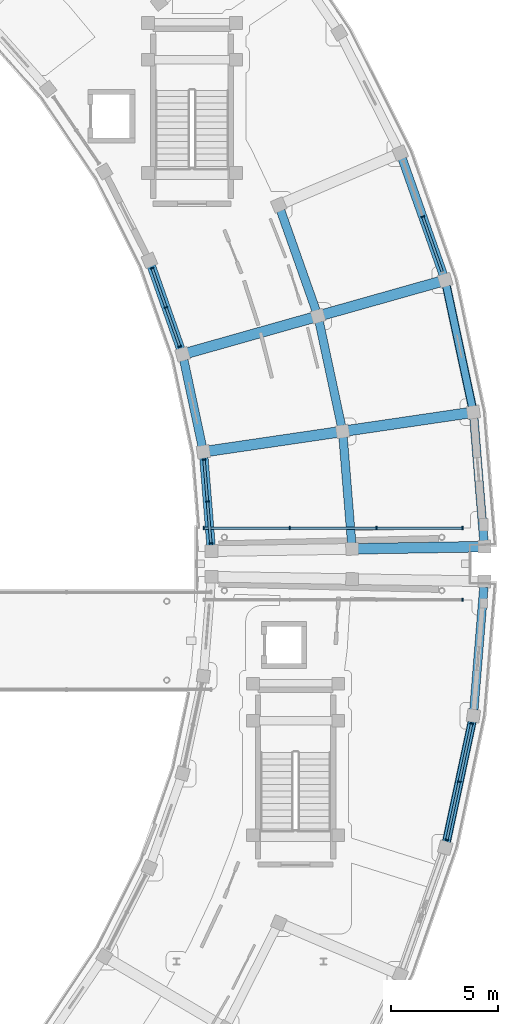
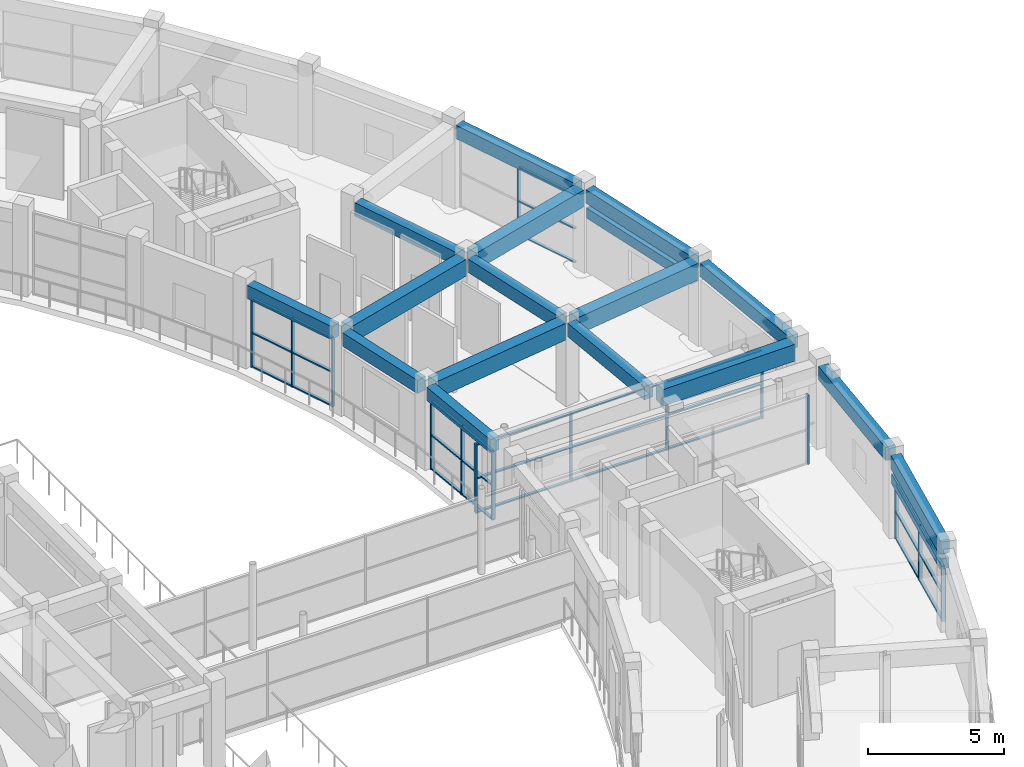
# One storey, part 27 of 72: 45 members, 18 beams, 6 elements without a shape of their own.
"""IFC4 building model written with IfcOpenShell, lengths in metres."""

import ifcopenshell
import ifcopenshell.guid

model = None  # the IFC model being written
_history = None  # IfcOwnerHistory: only IFC2X3 demands one
_inside = {}  # id of a spatial element -> (the spatial element, [elements in it])
_under = {}  # id of a project, library or spatial element -> (it, [spatial elements below it])
_declared = {}  # id of a project -> (the project, [libraries it declares])
_typed = {}  # id of a type object -> (the type object, [elements of that type])
_made_of = {}  # id of a material, layer set ... -> (it, [elements and type objects made of it])


def new_model(schema):
    """Start an empty IFC model of exactly this schema.

    Asked for "IFC4X3", IfcOpenShell would pick the latest addendum, in which some entities
    have other attributes; the version numbers below select the first issue.
    IFC2X3 requires an IfcOwnerHistory on every rooted entity: one is made here for all.
    """
    global model, _history
    if schema == "IFC4X3":
        model = ifcopenshell.file(schema_version=(4, 3, 0, 0))
    else:
        model = ifcopenshell.file(schema=schema)
    _inside.clear()
    _under.clear()
    _declared.clear()
    _typed.clear()
    _made_of.clear()
    _history = None
    if model.schema == "IFC2X3":
        org = make("IfcOrganization", Name="unknown")
        user = make(
            "IfcPersonAndOrganization",
            ThePerson=make("IfcPerson", FamilyName="unknown"),
            TheOrganization=org,
        )
        app = make(
            "IfcApplication",
            ApplicationDeveloper=org,
            Version="unknown",
            ApplicationFullName="unknown",
            ApplicationIdentifier="unknown",
        )
        _history = make(
            "IfcOwnerHistory",
            OwningUser=user,
            OwningApplication=app,
            ChangeAction="ADDED",
            CreationDate=0,
        )
    return model


def make(cls, **values):
    """One entity of the class cls with the attributes given. An attribute that is None is left unset."""
    return model.create_entity(
        cls, **{name: value for name, value in values.items() if value is not None}
    )


def rooted(cls, **values):
    """An entity with a GlobalId (a new one), such as an element, a storey or a relation."""
    return make(cls, GlobalId=ifcopenshell.guid.new(), OwnerHistory=_history, **values)


def si_unit(unit_type, name, prefix=None):
    """IfcSIUnit, for example si_unit("LENGTHUNIT", "METRE", prefix="MILLI")."""
    return make("IfcSIUnit", UnitType=unit_type, Prefix=prefix, Name=name)


def assignment(units):
    """IfcUnitAssignment: the units of a project."""
    return None if units is None else make("IfcUnitAssignment", Units=units)


def point(xyz):
    """IfcCartesianPoint."""
    return None if xyz is None else make("IfcCartesianPoint", Coordinates=xyz)


def direction(xyz):
    """IfcDirection."""
    return None if xyz is None else make("IfcDirection", DirectionRatios=xyz)


def frame(location, z_axis=None, x_axis=None):
    """IfcAxis2Placement3D, a coordinate frame: its origin and axes. An axis left out is left unset."""
    return make(
        "IfcAxis2Placement3D",
        Location=point(location),
        Axis=direction(z_axis),
        RefDirection=direction(x_axis),
    )


def frame_2d(location, x_axis=None):
    """IfcAxis2Placement2D, a coordinate frame in the plane: its origin and x axis."""
    return make(
        "IfcAxis2Placement2D", Location=point(location), RefDirection=direction(x_axis)
    )


def origin():
    """The frame at (0, 0, 0) with its axes left unset."""
    return frame((0.0, 0.0, 0.0))


def origin_2d():
    """The frame at (0, 0) in the plane with its x axis left unset."""
    return frame_2d((0.0, 0.0))


def place(relative_to, where):
    """IfcLocalPlacement: puts the frame where relative to a parent placement (None: the world)."""
    return make(
        "IfcLocalPlacement", PlacementRelTo=relative_to, RelativePlacement=where
    )


def context(
    kind, dimensions, precision=None, world=None, true_north=None, identifier=None
):
    """IfcGeometricRepresentationContext, for example the 3D "Model" context."""
    return make(
        "IfcGeometricRepresentationContext",
        ContextIdentifier=identifier,
        ContextType=kind,
        CoordinateSpaceDimension=dimensions,
        Precision=precision,
        WorldCoordinateSystem=world,
        TrueNorth=true_north,
    )


def subcontext(parent, identifier, kind, view, scale=None):
    """IfcGeometricRepresentationSubContext, for example "Body" below "Model"."""
    return make(
        "IfcGeometricRepresentationSubContext",
        ContextIdentifier=identifier,
        ContextType=kind,
        ParentContext=parent,
        TargetScale=scale,
        TargetView=view,
    )


def project(units=None, contexts=None):
    """IfcProject with its units and contexts."""
    return rooted(
        "IfcProject",
        Name="project",
        RepresentationContexts=contexts,
        UnitsInContext=assignment(units),
    )


def spatial(cls, under=None, at=None, **own):
    """A site, building, storey or space (cls), placed at a placement, below another one or the project."""
    s = rooted(cls, ObjectPlacement=at, **own)
    if under is not None:
        _under.setdefault(under.id(), (under, []))[1].append(s)
    return s


def profile(cls, at=None, kind="AREA", **sizes):
    """A parametric profile (cls). Its sizes go by their IFC names, for example OverallWidth=200.0."""
    return make(cls, ProfileType=kind, Position=at, **sizes)


def rectangle(**sizes):
    """IfcRectangleProfileDef."""
    return profile("IfcRectangleProfileDef", **sizes)


def extrude(swept, where, along, depth):
    """IfcExtrudedAreaSolid: the profile swept, set in the frame where, extruded along a direction by depth."""
    return make(
        "IfcExtrudedAreaSolid",
        SweptArea=swept,
        Position=where,
        ExtrudedDirection=direction(along),
        Depth=depth,
    )


def shape(context_of_items, identifier, shape_type, items):
    """IfcShapeRepresentation: the items that make up one representation, for example the "Body"."""
    return make(
        "IfcShapeRepresentation",
        ContextOfItems=context_of_items,
        RepresentationIdentifier=identifier,
        RepresentationType=shape_type,
        Items=items,
    )


def material(Name=None, Category=None):
    """IfcMaterial."""
    return make("IfcMaterial", Name=Name, Category=Category)


def material_profile(
    of_material, cross_section, Name=None, Category=None, Priority=None
):
    """IfcMaterialProfile: a cross section and its material."""
    return make(
        "IfcMaterialProfile",
        Name=Name,
        Material=of_material,
        Profile=cross_section,
        Priority=Priority,
        Category=Category,
    )


def profile_set(profiles, Name=None, composite=None):
    """IfcMaterialProfileSet."""
    return make(
        "IfcMaterialProfileSet",
        Name=Name,
        MaterialProfiles=profiles,
        CompositeProfile=composite,
    )


def made_of(thing, what):
    """Note that an element or type object is made of a material, layer set ...; save() writes the relation."""
    if what is not None:
        _made_of.setdefault(what.id(), (what, []))[1].append(thing)
    return thing


def type_object(cls, material=None, **own):
    """A type object (cls), such as IfcWallType, which elements share."""
    return made_of(rooted(cls, **own), material)


def element(
    cls,
    number,
    at=None,
    inside=None,
    cuts=None,
    type_object=None,
    material=None,
    context=None,
    identifier="Body",
    shape_type=None,
    held_by="IfcProductDefinitionShape",
    body=None,
    shapes=None,
    **own,
):
    """One element of the class cls, such as IfcWall. Its Tag is "e" and its number.

    at: its placement. inside: the storey or other place that contains it. cuts: it is an
    opening in that element (IfcRelVoidsElement). A single representation is given by context,
    identifier, shape_type and body (its items); several are given by shapes. held_by: the class
    of the entity that holds the representations. save() writes the other relations.
    """
    e = rooted(cls, Tag="e%d" % number, ObjectPlacement=at, **own)
    if body is not None:
        shapes = [shape(context, identifier, shape_type, body)]
    if shapes is not None:
        e.Representation = make(held_by, Representations=shapes)
    if inside is not None:
        _inside.setdefault(inside.id(), (inside, []))[1].append(e)
    if cuts is not None:
        rooted(
            "IfcRelVoidsElement", RelatingBuildingElement=cuts, RelatedOpeningElement=e
        )
    if type_object is not None:
        _typed.setdefault(type_object.id(), (type_object, []))[1].append(e)
    return made_of(e, material)


def aggregate(whole, parts):
    """IfcRelAggregates: a whole, such as a stair, and the parts it consists of."""
    return rooted("IfcRelAggregates", RelatingObject=whole, RelatedObjects=parts)


def save(model, path):
    """Write the relations noted so far, then the file.

    IfcRelAggregates (storeys below a building ...), IfcRelContainedInSpatialStructure (elements
    in a storey), IfcRelDefinesByType, IfcRelAssociatesMaterial and IfcRelDeclares: one each for
    every whole, place, type object, material and project.
    """
    for whole, parts in _under.values():
        aggregate(whole, parts)
    for where, things in _inside.values():
        rooted(
            "IfcRelContainedInSpatialStructure",
            RelatedElements=things,
            RelatingStructure=where,
        )
    for kind, things in _typed.values():
        rooted("IfcRelDefinesByType", RelatedObjects=things, RelatingType=kind)
    for what, things in _made_of.values():
        rooted("IfcRelAssociatesMaterial", RelatedObjects=things, RelatingMaterial=what)
    for by, libraries in _declared.values():
        rooted("IfcRelDeclares", RelatingContext=by, RelatedDefinitions=libraries)
    model.write(path)


model = new_model("IFC4")

# Units and contexts
model_context = context("Model", 3, precision=1e-05, world=origin(), true_north=direction((0.0, 1.0)))
body_context = subcontext(model_context, "Body", "Model", "MODEL_VIEW")
ifc_project = project(units=[si_unit("LENGTHUNIT", "METRE"), si_unit("AREAUNIT", "SQUARE_METRE"), si_unit("VOLUMEUNIT", "CUBIC_METRE"), si_unit("PLANEANGLEUNIT", "RADIAN"), si_unit("MASSUNIT", "GRAM", prefix="KILO")], contexts=[model_context])

# Site, building, storey
site_placement = place(None, origin())
site = spatial("IfcSite", under=ifc_project, at=site_placement, CompositionType="ELEMENT")
building_placement = place(site_placement, origin())
building = spatial("IfcBuilding", under=site, at=building_placement, Name="Saryqyr Civic Hall", CompositionType="ELEMENT")
storey_placement = place(building_placement, frame((0.0, 0.0, 17.25)))
storey = spatial("IfcBuildingStorey", under=building, at=storey_placement, Name="L04", CompositionType="ELEMENT", Elevation=17.25)

# Curtain wall, members
ifc_material_1 = material(Name="Anodised aluminium and triple low-E glass", Category="aluminium")
curtain_wall_type_1 = type_object("IfcCurtainWallType", Name="ENV-CW-STD-03", PredefinedType="NOTDEFINED", material=ifc_material_1)
curtain_wall_1_placement = place(storey_placement, origin())
curtain_wall_1 = element("IfcCurtainWall", 1, at=curtain_wall_1_placement, inside=storey, type_object=curtain_wall_type_1, Name="Curtain wall V5-CWO-L04-08", PredefinedType="NOTDEFINED")
ifc_material_2 = material(Name="Anodised aluminium", Category="aluminium")
ifc_material_profile_1 = material_profile(ifc_material_2, rectangle(XDim=0.06005859375, YDim=0.159912109375, at=origin_2d()), Name="ALU MULLION 60x160")
ifc_profile_set_1 = profile_set([ifc_material_profile_1], Name="Anodised aluminium")
member_type_1 = type_object("IfcMemberType", Name="ENV-CW-MUL-180", PredefinedType="MULLION", material=ifc_profile_set_1)
member_1_placement = place(storey_placement, frame((105.401123046875, 76.5107421875, 0.0), z_axis=(0.0, 0.0, 1.0), x_axis=(-0.208908324386, -0.97793522894, 0.0)))
member_1 = element("IfcMember", 2, at=member_1_placement, type_object=member_type_1, Name="CW-03 mullion 1", PredefinedType="MULLION", context=body_context, shape_type="SweptSolid", body=[
    extrude(rectangle(XDim=0.06005859375, YDim=0.159912109375, at=origin_2d()), origin(), (0.0, 0.0, 1.0), 2.449951171875),
])
member_2_placement = place(storey_placement, frame((104.819091796875, 73.78564453125, 0.0), z_axis=(0.0, 0.0, 1.0), x_axis=(-0.208908324386, -0.97793522894, 0.0)))
member_2 = element("IfcMember", 3, at=member_2_placement, type_object=member_type_1, Name="CW-03 mullion 2", PredefinedType="MULLION", context=body_context, shape_type="SweptSolid", body=[
    extrude(rectangle(XDim=0.06005859375, YDim=0.159912109375, at=origin_2d()), origin(), (0.0, 0.0, 1.0), 2.449951171875),
])
member_3_placement = place(storey_placement, frame((104.23681640625, 71.060546875, 0.0), z_axis=(0.0, 0.0, 1.0), x_axis=(-0.208908324386, -0.97793522894, 0.0)))
member_3 = element("IfcMember", 4, at=member_3_placement, type_object=member_type_1, Name="CW-03 mullion 3", PredefinedType="MULLION", context=body_context, shape_type="SweptSolid", body=[
    extrude(rectangle(XDim=0.06005859375, YDim=0.159912109375, at=origin_2d()), origin(), (0.0, 0.0, 1.0), 2.449951171875),
])

curtain_wall_type_2 = type_object("IfcCurtainWallType", Name="ENV-CW-STD-13", PredefinedType="NOTDEFINED", material=ifc_material_1)
curtain_wall_2_placement = place(storey_placement, origin())
curtain_wall_2 = element("IfcCurtainWall", 5, at=curtain_wall_2_placement, inside=storey, type_object=curtain_wall_type_2, Name="Curtain wall V6-CWI-L04-00", PredefinedType="NOTDEFINED")
member_4_placement = place(storey_placement, frame((93.164794921875, 84.97021484375, 0.0), z_axis=(0.0, 0.0, 1.0), x_axis=(-0.081090889978, 0.996706710905, 0.0)))
member_4 = element("IfcMember", 6, at=member_4_placement, type_object=member_type_1, Name="CW-13 mullion 1", PredefinedType="MULLION", context=body_context, shape_type="SweptSolid", body=[
    extrude(rectangle(XDim=0.06005859375, YDim=0.159912109375, at=origin_2d()), origin(), (0.0, 0.0, 1.0), 3.0849609375),
])
member_5_placement = place(storey_placement, frame((93.00537109375, 86.93017578125, 0.0), z_axis=(0.0, 0.0, 1.0), x_axis=(-0.081090889978, 0.996706710905, 0.0)))
member_5 = element("IfcMember", 7, at=member_5_placement, type_object=member_type_1, Name="CW-13 mullion 2", PredefinedType="MULLION", context=body_context, shape_type="SweptSolid", body=[
    extrude(rectangle(XDim=0.06005859375, YDim=0.159912109375, at=origin_2d()), origin(), (0.0, 0.0, 1.0), 3.0849609375),
])
member_6_placement = place(storey_placement, frame((92.845947265625, 88.89013671875, 0.0), z_axis=(0.0, 0.0, 1.0), x_axis=(-0.081090889978, 0.996706710905, 0.0)))
member_6 = element("IfcMember", 8, at=member_6_placement, type_object=member_type_1, Name="CW-13 mullion 3", PredefinedType="MULLION", context=body_context, shape_type="SweptSolid", body=[
    extrude(rectangle(XDim=0.06005859375, YDim=0.159912109375, at=origin_2d()), origin(), (0.0, 0.0, 1.0), 3.0849609375),
])

# Curtain wall, member
curtain_wall_type_3 = type_object("IfcCurtainWallType", Name="ENV-CW-STD-14", PredefinedType="NOTDEFINED", material=ifc_material_1)
curtain_wall_3_placement = place(storey_placement, origin())
curtain_wall_3 = element("IfcCurtainWall", 9, at=curtain_wall_3_placement, inside=storey, type_object=curtain_wall_type_3, Name="Curtain wall V6-CWO-L04-02", PredefinedType="NOTDEFINED")
member_7_placement = place(storey_placement, frame((103.103759765625, 100.292236328125, 0.0), z_axis=(0.0, 0.0, 1.0), x_axis=(0.33318018147, -0.942863174949, 0.0)))
member_7 = element("IfcMember", 10, at=member_7_placement, type_object=member_type_1, Name="CW-14 mullion 2", PredefinedType="MULLION", context=body_context, shape_type="SweptSolid", body=[
    extrude(rectangle(XDim=0.06005859375, YDim=0.159912109375, at=origin_2d()), origin(), (0.0, 0.0, 1.0), 3.0849609375),
])

# Curtain wall, members
curtain_wall_4_placement = place(storey_placement, origin())
curtain_wall_4 = element("IfcCurtainWall", 11, at=curtain_wall_4_placement, inside=storey, type_object=curtain_wall_type_2, Name="Curtain wall V6-CWI-L04-02", PredefinedType="NOTDEFINED")
member_8_placement = place(storey_placement, frame((91.708984375, 94.200439453125, 0.0), z_axis=(0.0, 0.0, 1.0), x_axis=(-0.333171977335, 0.94286607401, 0.0)))
member_8 = element("IfcMember", 12, at=member_8_placement, type_object=member_type_1, Name="CW-13 mullion 1", PredefinedType="MULLION", context=body_context, shape_type="SweptSolid", body=[
    extrude(rectangle(XDim=0.06005859375, YDim=0.159912109375, at=origin_2d()), origin(), (0.0, 0.0, 1.0), 3.0849609375),
])
member_9_placement = place(storey_placement, frame((91.060302734375, 96.036376953125, 0.0), z_axis=(0.0, 0.0, 1.0), x_axis=(-0.333171977335, 0.94286607401, 0.0)))
member_9 = element("IfcMember", 13, at=member_9_placement, type_object=member_type_1, Name="CW-13 mullion 2", PredefinedType="MULLION", context=body_context, shape_type="SweptSolid", body=[
    extrude(rectangle(XDim=0.06005859375, YDim=0.159912109375, at=origin_2d()), origin(), (0.0, 0.0, 1.0), 3.0849609375),
])
member_10_placement = place(storey_placement, frame((90.41162109375, 97.8720703125, 0.0), z_axis=(0.0, 0.0, 1.0), x_axis=(-0.333171977335, 0.94286607401, 0.0)))
member_10 = element("IfcMember", 14, at=member_10_placement, type_object=member_type_1, Name="CW-13 mullion 3", PredefinedType="MULLION", context=body_context, shape_type="SweptSolid", body=[
    extrude(rectangle(XDim=0.06005859375, YDim=0.159912109375, at=origin_2d()), origin(), (0.0, 0.0, 1.0), 3.0849609375),
])

# Curtain wall, member
curtain_wall_type_4 = type_object("IfcCurtainWallType", Name="ENV-CW-STD-81", PredefinedType="NOTDEFINED", material=ifc_material_1)
curtain_wall_5_placement = place(storey_placement, origin())
curtain_wall_5 = element("IfcCurtainWall", 15, at=curtain_wall_5_placement, inside=storey, type_object=curtain_wall_type_4, Name="Curtain wall BR-E-CW1-L04", PredefinedType="NOTDEFINED")
member_11_placement = place(storey_placement, frame((104.969970703125, 82.320068359375, 0.0), z_axis=(0.0, 0.0, 1.0), x_axis=(-1.0, 0.0, 0.0)))
member_11 = element("IfcMember", 16, at=member_11_placement, type_object=member_type_1, Name="CW-81 mullion 1", PredefinedType="MULLION", context=body_context, shape_type="SweptSolid", body=[
    extrude(rectangle(XDim=0.06005859375, YDim=0.159912109375, at=origin_2d()), origin(), (0.0, 0.0, 1.0), 3.0849609375),
])
aggregate(curtain_wall_5, [member_11])

# Curtain wall, members
curtain_wall_6_placement = place(storey_placement, origin())
curtain_wall_6 = element("IfcCurtainWall", 17, at=curtain_wall_6_placement, inside=storey, type_object=curtain_wall_type_4, Name="Curtain wall BR-E-CW2-L04", PredefinedType="NOTDEFINED")
member_12_placement = place(storey_placement, frame((92.830078125, 85.679931640625, 0.0), z_axis=(0.0, 0.0, 1.0), x_axis=(1.0, 0.0, 0.0)))
member_12 = element("IfcMember", 18, at=member_12_placement, type_object=member_type_1, Name="CW-81 mullion 1", PredefinedType="MULLION", context=body_context, shape_type="SweptSolid", body=[
    extrude(rectangle(XDim=0.06005859375, YDim=0.159912109375, at=origin_2d()), origin(), (0.0, 0.0, 1.0), 3.0849609375),
])
member_13_placement = place(storey_placement, frame((96.86669921875, 85.679931640625, 0.0), z_axis=(0.0, 0.0, 1.0), x_axis=(1.0, 0.0, 0.0)))
member_13 = element("IfcMember", 19, at=member_13_placement, type_object=member_type_1, Name="CW-81 mullion 2", PredefinedType="MULLION", context=body_context, shape_type="SweptSolid", body=[
    extrude(rectangle(XDim=0.06005859375, YDim=0.159912109375, at=origin_2d()), origin(), (0.0, 0.0, 1.0), 3.0849609375),
])
member_14_placement = place(storey_placement, frame((100.933349609375, 85.679931640625, 0.0), z_axis=(0.0, 0.0, 1.0), x_axis=(1.0, 0.0, 0.0)))
member_14 = element("IfcMember", 20, at=member_14_placement, type_object=member_type_1, Name="CW-81 mullion 3", PredefinedType="MULLION", context=body_context, shape_type="SweptSolid", body=[
    extrude(rectangle(XDim=0.06005859375, YDim=0.159912109375, at=origin_2d()), origin(), (0.0, 0.0, 1.0), 3.0849609375),
])
member_15_placement = place(storey_placement, frame((104.969970703125, 85.679931640625, 0.0), z_axis=(0.0, 0.0, 1.0), x_axis=(1.0, 0.0, 0.0)))
member_15 = element("IfcMember", 21, at=member_15_placement, type_object=member_type_1, Name="CW-81 mullion 4", PredefinedType="MULLION", context=body_context, shape_type="SweptSolid", body=[
    extrude(rectangle(XDim=0.06005859375, YDim=0.159912109375, at=origin_2d()), origin(), (0.0, 0.0, 1.0), 3.0849609375),
])

# Member
ifc_material_profile_2 = material_profile(ifc_material_2, rectangle(XDim=0.1201171875, YDim=0.06005859375, at=origin_2d()), Name="ALU TRANSOM 120x60")
ifc_profile_set_2 = profile_set([ifc_material_profile_2], Name="Anodised aluminium")
member_type_2 = type_object("IfcMemberType", Name="ENV-CW-TRN-150", PredefinedType="USERDEFINED", material=ifc_profile_set_2)
member_16_placement = place(storey_placement, frame((105.394775390625, 76.4814453125, 0.030029296875), z_axis=(-0.208893103341, -0.977938480364, 0.0), x_axis=(0.977938480364, -0.208893103341, 0.0)))
member_16 = element("IfcMember", 22, at=member_16_placement, type_object=member_type_2, Name="CW-03 transom 1.1", ObjectType="TRANSOM", PredefinedType="USERDEFINED", context=body_context, shape_type="SweptSolid", body=[
    extrude(rectangle(XDim=0.1201171875, YDim=0.06005859375, at=origin_2d()), origin(), (0.0, 0.0, 1.0), 2.7265625),
])

member_17_placement = place(storey_placement, frame((105.394775390625, 76.4814453125, 1.22509765625), z_axis=(-0.208893103341, -0.977938480364, 0.0), x_axis=(0.977938480364, -0.208893103341, 0.0)))
member_17 = element("IfcMember", 23, at=member_17_placement, type_object=member_type_2, Name="CW-03 transom 1.2", ObjectType="TRANSOM", PredefinedType="USERDEFINED", context=body_context, shape_type="SweptSolid", body=[
    extrude(rectangle(XDim=0.1201171875, YDim=0.06005859375, at=origin_2d()), origin(), (0.0, 0.0, 1.0), 2.7265625),
])

member_18_placement = place(storey_placement, frame((105.394775390625, 76.4814453125, 2.419921875), z_axis=(-0.208893103341, -0.977938480364, 0.0), x_axis=(0.977938480364, -0.208893103341, 0.0)))
member_18 = element("IfcMember", 24, at=member_18_placement, type_object=member_type_2, Name="CW-03 transom 1.3", ObjectType="TRANSOM", PredefinedType="USERDEFINED", context=body_context, shape_type="SweptSolid", body=[
    extrude(rectangle(XDim=0.1201171875, YDim=0.06005859375, at=origin_2d()), origin(), (0.0, 0.0, 1.0), 2.7265625),
])

member_19_placement = place(storey_placement, frame((104.812744140625, 73.75634765625, 0.030029296875), z_axis=(-0.208893103341, -0.977938480364, 0.0), x_axis=(0.977938480364, -0.208893103341, 0.0)))
member_19 = element("IfcMember", 25, at=member_19_placement, type_object=member_type_2, Name="CW-03 transom 2.1", ObjectType="TRANSOM", PredefinedType="USERDEFINED", context=body_context, shape_type="SweptSolid", body=[
    extrude(rectangle(XDim=0.1201171875, YDim=0.06005859375, at=origin_2d()), origin(), (0.0, 0.0, 1.0), 2.7265625),
])

member_20_placement = place(storey_placement, frame((104.812744140625, 73.75634765625, 1.22509765625), z_axis=(-0.208893103341, -0.977938480364, 0.0), x_axis=(0.977938480364, -0.208893103341, 0.0)))
member_20 = element("IfcMember", 26, at=member_20_placement, type_object=member_type_2, Name="CW-03 transom 2.2", ObjectType="TRANSOM", PredefinedType="USERDEFINED", context=body_context, shape_type="SweptSolid", body=[
    extrude(rectangle(XDim=0.1201171875, YDim=0.06005859375, at=origin_2d()), origin(), (0.0, 0.0, 1.0), 2.7265625),
])

member_21_placement = place(storey_placement, frame((104.812744140625, 73.75634765625, 2.419921875), z_axis=(-0.208893103341, -0.977938480364, 0.0), x_axis=(0.977938480364, -0.208893103341, 0.0)))
member_21 = element("IfcMember", 27, at=member_21_placement, type_object=member_type_2, Name="CW-03 transom 2.3", ObjectType="TRANSOM", PredefinedType="USERDEFINED", context=body_context, shape_type="SweptSolid", body=[
    extrude(rectangle(XDim=0.1201171875, YDim=0.06005859375, at=origin_2d()), origin(), (0.0, 0.0, 1.0), 2.7265625),
])

aggregate(curtain_wall_1, [member_1, member_2, member_3, member_16, member_17, member_18, member_19, member_20, member_21])

member_22_placement = place(storey_placement, frame((93.162353515625, 85.0, 0.030029296875), z_axis=(-0.081063441011, 0.99670894374, 0.0), x_axis=(-0.99670894374, -0.081063441011, 0.0)))
member_22 = element("IfcMember", 28, at=member_22_placement, type_object=member_type_2, Name="CW-13 transom 1.1", ObjectType="TRANSOM", PredefinedType="USERDEFINED", context=body_context, shape_type="SweptSolid", body=[
    extrude(rectangle(XDim=0.1201171875, YDim=0.06005859375, at=origin_2d()), origin(), (0.0, 0.0, 1.0), 1.906494140625),
])

member_23_placement = place(storey_placement, frame((93.162353515625, 85.0, 1.54296875), z_axis=(-0.081063441011, 0.99670894374, 0.0), x_axis=(-0.99670894374, -0.081063441011, 0.0)))
member_23 = element("IfcMember", 29, at=member_23_placement, type_object=member_type_2, Name="CW-13 transom 1.2", ObjectType="TRANSOM", PredefinedType="USERDEFINED", context=body_context, shape_type="SweptSolid", body=[
    extrude(rectangle(XDim=0.1201171875, YDim=0.06005859375, at=origin_2d()), origin(), (0.0, 0.0, 1.0), 1.906494140625),
])

member_24_placement = place(storey_placement, frame((93.162353515625, 85.0, 3.054931640625), z_axis=(-0.081063441011, 0.99670894374, 0.0), x_axis=(-0.99670894374, -0.081063441011, 0.0)))
member_24 = element("IfcMember", 30, at=member_24_placement, type_object=member_type_2, Name="CW-13 transom 1.3", ObjectType="TRANSOM", PredefinedType="USERDEFINED", context=body_context, shape_type="SweptSolid", body=[
    extrude(rectangle(XDim=0.1201171875, YDim=0.06005859375, at=origin_2d()), origin(), (0.0, 0.0, 1.0), 1.906494140625),
])

member_25_placement = place(storey_placement, frame((93.0029296875, 86.9599609375, 0.030029296875), z_axis=(-0.081053095321, 0.996709785112, 0.0), x_axis=(-0.996709785112, -0.081053095321, 0.0)))
member_25 = element("IfcMember", 31, at=member_25_placement, type_object=member_type_2, Name="CW-13 transom 2.1", ObjectType="TRANSOM", PredefinedType="USERDEFINED", context=body_context, shape_type="SweptSolid", body=[
    extrude(rectangle(XDim=0.1201171875, YDim=0.06005859375, at=origin_2d()), origin(), (0.0, 0.0, 1.0), 1.90673828125),
])

member_26_placement = place(storey_placement, frame((93.0029296875, 86.9599609375, 1.54296875), z_axis=(-0.081053095321, 0.996709785112, 0.0), x_axis=(-0.996709785112, -0.081053095321, 0.0)))
member_26 = element("IfcMember", 32, at=member_26_placement, type_object=member_type_2, Name="CW-13 transom 2.2", ObjectType="TRANSOM", PredefinedType="USERDEFINED", context=body_context, shape_type="SweptSolid", body=[
    extrude(rectangle(XDim=0.1201171875, YDim=0.06005859375, at=origin_2d()), origin(), (0.0, 0.0, 1.0), 1.90673828125),
])

member_27_placement = place(storey_placement, frame((93.0029296875, 86.9599609375, 3.054931640625), z_axis=(-0.081053095321, 0.996709785112, 0.0), x_axis=(-0.996709785112, -0.081053095321, 0.0)))
member_27 = element("IfcMember", 33, at=member_27_placement, type_object=member_type_2, Name="CW-13 transom 2.3", ObjectType="TRANSOM", PredefinedType="USERDEFINED", context=body_context, shape_type="SweptSolid", body=[
    extrude(rectangle(XDim=0.1201171875, YDim=0.06005859375, at=origin_2d()), origin(), (0.0, 0.0, 1.0), 1.90673828125),
])

aggregate(curtain_wall_2, [member_4, member_5, member_6, member_22, member_23, member_24, member_25, member_26, member_27])

member_28_placement = place(storey_placement, frame((103.11376953125, 100.263916015625, 0.030029296875), z_axis=(0.333154226884, -0.942872346137, 0.0), x_axis=(0.942872346137, 0.333154226884, 0.0)))
member_28 = element("IfcMember", 34, at=member_28_placement, type_object=member_type_2, Name="CW-14 transom 2.1", ObjectType="TRANSOM", PredefinedType="USERDEFINED", context=body_context, shape_type="SweptSolid", body=[
    extrude(rectangle(XDim=0.1201171875, YDim=0.06005859375, at=origin_2d()), origin(), (0.0, 0.0, 1.0), 2.713623046875),
])

member_29_placement = place(storey_placement, frame((103.11376953125, 100.263916015625, 1.54296875), z_axis=(0.333154226884, -0.942872346137, 0.0), x_axis=(0.942872346137, 0.333154226884, 0.0)))
member_29 = element("IfcMember", 35, at=member_29_placement, type_object=member_type_2, Name="CW-14 transom 2.2", ObjectType="TRANSOM", PredefinedType="USERDEFINED", context=body_context, shape_type="SweptSolid", body=[
    extrude(rectangle(XDim=0.1201171875, YDim=0.06005859375, at=origin_2d()), origin(), (0.0, 0.0, 1.0), 2.713623046875),
])

member_30_placement = place(storey_placement, frame((103.11376953125, 100.263916015625, 3.054931640625), z_axis=(0.333154226884, -0.942872346137, 0.0), x_axis=(0.942872346137, 0.333154226884, 0.0)))
member_30 = element("IfcMember", 36, at=member_30_placement, type_object=member_type_2, Name="CW-14 transom 2.3", ObjectType="TRANSOM", PredefinedType="USERDEFINED", context=body_context, shape_type="SweptSolid", body=[
    extrude(rectangle(XDim=0.1201171875, YDim=0.06005859375, at=origin_2d()), origin(), (0.0, 0.0, 1.0), 2.713623046875),
])

aggregate(curtain_wall_3, [member_7, member_28, member_29, member_30])

member_31_placement = place(storey_placement, frame((91.698974609375, 94.228759765625, 0.030029296875), z_axis=(-0.333138159912, 0.942878023082, 0.0), x_axis=(-0.942878023082, -0.333138159912, 0.0)))
member_31 = element("IfcMember", 37, at=member_31_placement, type_object=member_type_2, Name="CW-13 transom 1.1", ObjectType="TRANSOM", PredefinedType="USERDEFINED", context=body_context, shape_type="SweptSolid", body=[
    extrude(rectangle(XDim=0.1201171875, YDim=0.06005859375, at=origin_2d()), origin(), (0.0, 0.0, 1.0), 1.88720703125),
])

member_32_placement = place(storey_placement, frame((91.698974609375, 94.228759765625, 1.54296875), z_axis=(-0.333138159912, 0.942878023082, 0.0), x_axis=(-0.942878023082, -0.333138159912, 0.0)))
member_32 = element("IfcMember", 38, at=member_32_placement, type_object=member_type_2, Name="CW-13 transom 1.2", ObjectType="TRANSOM", PredefinedType="USERDEFINED", context=body_context, shape_type="SweptSolid", body=[
    extrude(rectangle(XDim=0.1201171875, YDim=0.06005859375, at=origin_2d()), origin(), (0.0, 0.0, 1.0), 1.88720703125),
])

member_33_placement = place(storey_placement, frame((91.698974609375, 94.228759765625, 3.054931640625), z_axis=(-0.333138159912, 0.942878023082, 0.0), x_axis=(-0.942878023082, -0.333138159912, 0.0)))
member_33 = element("IfcMember", 39, at=member_33_placement, type_object=member_type_2, Name="CW-13 transom 1.3", ObjectType="TRANSOM", PredefinedType="USERDEFINED", context=body_context, shape_type="SweptSolid", body=[
    extrude(rectangle(XDim=0.1201171875, YDim=0.06005859375, at=origin_2d()), origin(), (0.0, 0.0, 1.0), 1.88720703125),
])

member_34_placement = place(storey_placement, frame((91.05029296875, 96.064697265625, 0.030029296875), z_axis=(-0.333178802066, 0.942863662389, 0.0), x_axis=(-0.942863662389, -0.333178802066, 0.0)))
member_34 = element("IfcMember", 40, at=member_34_placement, type_object=member_type_2, Name="CW-13 transom 2.1", ObjectType="TRANSOM", PredefinedType="USERDEFINED", context=body_context, shape_type="SweptSolid", body=[
    extrude(rectangle(XDim=0.1201171875, YDim=0.06005859375, at=origin_2d()), origin(), (0.0, 0.0, 1.0), 1.886962890625),
])

member_35_placement = place(storey_placement, frame((91.05029296875, 96.064697265625, 1.54296875), z_axis=(-0.333178802066, 0.942863662389, 0.0), x_axis=(-0.942863662389, -0.333178802066, 0.0)))
member_35 = element("IfcMember", 41, at=member_35_placement, type_object=member_type_2, Name="CW-13 transom 2.2", ObjectType="TRANSOM", PredefinedType="USERDEFINED", context=body_context, shape_type="SweptSolid", body=[
    extrude(rectangle(XDim=0.1201171875, YDim=0.06005859375, at=origin_2d()), origin(), (0.0, 0.0, 1.0), 1.886962890625),
])

member_36_placement = place(storey_placement, frame((91.05029296875, 96.064697265625, 3.054931640625), z_axis=(-0.333178802066, 0.942863662389, 0.0), x_axis=(-0.942863662389, -0.333178802066, 0.0)))
member_36 = element("IfcMember", 42, at=member_36_placement, type_object=member_type_2, Name="CW-13 transom 2.3", ObjectType="TRANSOM", PredefinedType="USERDEFINED", context=body_context, shape_type="SweptSolid", body=[
    extrude(rectangle(XDim=0.1201171875, YDim=0.06005859375, at=origin_2d()), origin(), (0.0, 0.0, 1.0), 1.886962890625),
])

aggregate(curtain_wall_4, [member_8, member_9, member_10, member_31, member_32, member_33, member_34, member_35, member_36])

member_37_placement = place(storey_placement, frame((92.860107421875, 85.679931640625, 0.030029296875), z_axis=(1.0, 0.0, 0.0), x_axis=(0.0, 1.0, 0.0)))
member_37 = element("IfcMember", 43, at=member_37_placement, type_object=member_type_2, Name="CW-81 transom 1.1", ObjectType="TRANSOM", PredefinedType="USERDEFINED", context=body_context, shape_type="SweptSolid", body=[
    extrude(rectangle(XDim=0.1201171875, YDim=0.06005859375, at=origin_2d()), origin(), (0.0, 0.0, 1.0), 3.9765625),
])

member_38_placement = place(storey_placement, frame((92.860107421875, 85.679931640625, 1.54296875), z_axis=(1.0, 0.0, 0.0), x_axis=(0.0, 1.0, 0.0)))
member_38 = element("IfcMember", 44, at=member_38_placement, type_object=member_type_2, Name="CW-81 transom 1.2", ObjectType="TRANSOM", PredefinedType="USERDEFINED", context=body_context, shape_type="SweptSolid", body=[
    extrude(rectangle(XDim=0.1201171875, YDim=0.06005859375, at=origin_2d()), origin(), (0.0, 0.0, 1.0), 3.9765625),
])

member_39_placement = place(storey_placement, frame((92.860107421875, 85.679931640625, 3.054931640625), z_axis=(1.0, 0.0, 0.0), x_axis=(0.0, 1.0, 0.0)))
member_39 = element("IfcMember", 45, at=member_39_placement, type_object=member_type_2, Name="CW-81 transom 1.3", ObjectType="TRANSOM", PredefinedType="USERDEFINED", context=body_context, shape_type="SweptSolid", body=[
    extrude(rectangle(XDim=0.1201171875, YDim=0.06005859375, at=origin_2d()), origin(), (0.0, 0.0, 1.0), 3.9765625),
])

member_40_placement = place(storey_placement, frame((96.896728515625, 85.679931640625, 0.030029296875), z_axis=(1.0, 0.0, 0.0), x_axis=(0.0, 1.0, 0.0)))
member_40 = element("IfcMember", 46, at=member_40_placement, type_object=member_type_2, Name="CW-81 transom 2.1", ObjectType="TRANSOM", PredefinedType="USERDEFINED", context=body_context, shape_type="SweptSolid", body=[
    extrude(rectangle(XDim=0.1201171875, YDim=0.06005859375, at=origin_2d()), origin(), (0.0, 0.0, 1.0), 4.006591796875),
])

member_41_placement = place(storey_placement, frame((96.896728515625, 85.679931640625, 1.54296875), z_axis=(1.0, 0.0, 0.0), x_axis=(0.0, 1.0, 0.0)))
member_41 = element("IfcMember", 47, at=member_41_placement, type_object=member_type_2, Name="CW-81 transom 2.2", ObjectType="TRANSOM", PredefinedType="USERDEFINED", context=body_context, shape_type="SweptSolid", body=[
    extrude(rectangle(XDim=0.1201171875, YDim=0.06005859375, at=origin_2d()), origin(), (0.0, 0.0, 1.0), 4.006591796875),
])

member_42_placement = place(storey_placement, frame((96.896728515625, 85.679931640625, 3.054931640625), z_axis=(1.0, 0.0, 0.0), x_axis=(0.0, 1.0, 0.0)))
member_42 = element("IfcMember", 48, at=member_42_placement, type_object=member_type_2, Name="CW-81 transom 2.3", ObjectType="TRANSOM", PredefinedType="USERDEFINED", context=body_context, shape_type="SweptSolid", body=[
    extrude(rectangle(XDim=0.1201171875, YDim=0.06005859375, at=origin_2d()), origin(), (0.0, 0.0, 1.0), 4.006591796875),
])

member_43_placement = place(storey_placement, frame((100.96337890625, 85.679931640625, 0.030029296875), z_axis=(1.0, 0.0, 0.0), x_axis=(0.0, 1.0, 0.0)))
member_43 = element("IfcMember", 49, at=member_43_placement, type_object=member_type_2, Name="CW-81 transom 3.1", ObjectType="TRANSOM", PredefinedType="USERDEFINED", context=body_context, shape_type="SweptSolid", body=[
    extrude(rectangle(XDim=0.1201171875, YDim=0.06005859375, at=origin_2d()), origin(), (0.0, 0.0, 1.0), 3.9765625),
])

member_44_placement = place(storey_placement, frame((100.96337890625, 85.679931640625, 1.54296875), z_axis=(1.0, 0.0, 0.0), x_axis=(0.0, 1.0, 0.0)))
member_44 = element("IfcMember", 50, at=member_44_placement, type_object=member_type_2, Name="CW-81 transom 3.2", ObjectType="TRANSOM", PredefinedType="USERDEFINED", context=body_context, shape_type="SweptSolid", body=[
    extrude(rectangle(XDim=0.1201171875, YDim=0.06005859375, at=origin_2d()), origin(), (0.0, 0.0, 1.0), 3.9765625),
])

member_45_placement = place(storey_placement, frame((100.96337890625, 85.679931640625, 3.054931640625), z_axis=(1.0, 0.0, 0.0), x_axis=(0.0, 1.0, 0.0)))
member_45 = element("IfcMember", 51, at=member_45_placement, type_object=member_type_2, Name="CW-81 transom 3.3", ObjectType="TRANSOM", PredefinedType="USERDEFINED", context=body_context, shape_type="SweptSolid", body=[
    extrude(rectangle(XDim=0.1201171875, YDim=0.06005859375, at=origin_2d()), origin(), (0.0, 0.0, 1.0), 3.9765625),
])

aggregate(curtain_wall_6, [member_12, member_13, member_14, member_15, member_37, member_38, member_39, member_40, member_41, member_42, member_43, member_44, member_45])

# Beams
ifc_material_3 = material(Name="Concrete C35/45", Category="concrete")
ifc_material_profile_3 = material_profile(ifc_material_3, rectangle(XDim=0.39990234375, YDim=0.60009765625, at=origin_2d()), Name="RC 400x600")
ifc_profile_set_3 = profile_set([ifc_material_profile_3], Name="Concrete C35/45")
beam_type_1 = type_object("IfcBeamType", Name="STR-BM-RC400x600", PredefinedType="BEAM", material=ifc_profile_set_3)
for number, where, z_axis, x_axis, name in (
    (52, (99.771728515625, 84.983642578125, 3.409912109375), (-0.081072662347, 0.996708193716, 0.0), (-0.996708193716, -0.081072662347, 0.0), "Beam V6-CBM-MID00-L04"),
    (53, (99.288330078125, 90.488037109375, 3.409912109375), (-0.208889285381, 0.977939295894, 0.0), (-0.977939295894, -0.208889285381, 0.0), "Beam V6-CBM-MID01-L04"),
    (54, (98.099609375, 95.884033203125, 3.409912109375), (-0.333215168941, 0.942850810674, 0.0), (-0.942850810674, -0.333215168941, 0.0), "Beam V6-CBM-MID02-L04"),
):
    element("IfcBeam", number, at=place(storey_placement, frame(where, z_axis=z_axis, x_axis=x_axis)), inside=storey, type_object=beam_type_1, Name=name, PredefinedType="BEAM", context=body_context, shape_type="SweptSolid", body=[
        extrude(rectangle(XDim=0.39990234375, YDim=0.60009765625, at=origin_2d()), origin(), (0.0, 0.0, 1.0), 4.977783203125),
    ])
ifc_material_profile_4 = material_profile(ifc_material_3, rectangle(XDim=0.39990234375, YDim=0.60009765625, at=origin_2d()), Name="RC 400x600")
ifc_profile_set_4 = profile_set([ifc_material_profile_4], Name="Concrete C35/45")
beam_type_2 = type_object("IfcBeamType", Name="STR-BM-RC400x600-EXT", PredefinedType="BEAM", material=ifc_profile_set_4)
beam_1_placement = place(storey_placement, frame((104.21533203125, 70.960205078125, 3.409912109375), z_axis=(0.208928885594, 0.977930836391, 0.0), x_axis=(-0.977930836391, 0.208928885594, 0.0)))
element("IfcBeam", 55, at=beam_1_placement, inside=storey, type_object=beam_type_2, Name="Beam V5-CBM-OUT08-L04", PredefinedType="BEAM", context=body_context, shape_type="SweptSolid", body=[
    extrude(rectangle(XDim=0.39990234375, YDim=0.60009765625, at=origin_2d()), origin(), (0.0, 0.0, 1.0), 5.7783203125),
])
beam_2_placement = place(storey_placement, frame((105.502197265625, 77.154052734375, 3.409912109375), z_axis=(0.081118754251, 0.996704443508, 0.0), x_axis=(-0.996704443508, 0.081118754251, 0.0)))
element("IfcBeam", 56, at=beam_2_placement, inside=storey, type_object=beam_type_2, Name="Beam V5-CBM-OUT09-L04", PredefinedType="BEAM", context=body_context, shape_type="SweptSolid", body=[
    extrude(rectangle(XDim=0.39990234375, YDim=0.60009765625, at=origin_2d()), origin(), (0.0, 0.0, 1.0), 5.778564453125),
])
beam_3_placement = place(storey_placement, frame((93.172607421875, 84.874267578125, 3.409912109375), z_axis=(-0.081076463708, 0.996707884504, 0.0), x_axis=(-0.996707884504, -0.081076463708, 0.0)))
element("IfcBeam", 57, at=beam_3_placement, inside=storey, type_object=beam_type_2, Name="Beam V6-CBM-IN00-L04", PredefinedType="BEAM", context=body_context, shape_type="SweptSolid", body=[
    extrude(rectangle(XDim=0.39990234375, YDim=0.60009765625, at=origin_2d()), origin(), (0.0, 0.0, 1.0), 4.12548828125),
])
beam_4_placement = place(storey_placement, frame((105.970947265625, 85.08642578125, 3.409912109375), z_axis=(-0.081118754251, 0.996704443508, 0.0), x_axis=(-0.996704443508, -0.081118754251, 0.0)))
element("IfcBeam", 58, at=beam_4_placement, inside=storey, type_object=beam_type_2, Name="Beam V6-CBM-OUT00-L04", PredefinedType="BEAM", context=body_context, shape_type="SweptSolid", body=[
    extrude(rectangle(XDim=0.39990234375, YDim=0.60009765625, at=origin_2d()), origin(), (0.0, 0.0, 1.0), 5.778564453125),
])
beam_5_placement = place(storey_placement, frame((92.75830078125, 89.529052734375, 3.409912109375), z_axis=(-0.208914702751, 0.97793386636, 0.0), x_axis=(-0.97793386636, -0.208914702751, 0.0)))
element("IfcBeam", 59, at=beam_5_placement, inside=storey, type_object=beam_type_2, Name="Beam V6-CBM-IN01-L04", PredefinedType="BEAM", context=body_context, shape_type="SweptSolid", body=[
    extrude(rectangle(XDim=0.39990234375, YDim=0.60009765625, at=origin_2d()), origin(), (0.0, 0.0, 1.0), 4.125244140625),
])
beam_6_placement = place(storey_placement, frame((105.422607421875, 91.388916015625, 3.409912109375), z_axis=(-0.208928885594, 0.977930836391, 0.0), x_axis=(-0.977930836391, -0.208928885594, 0.0)))
element("IfcBeam", 60, at=beam_6_placement, inside=storey, type_object=beam_type_2, Name="Beam V6-CBM-OUT01-L04", PredefinedType="BEAM", context=body_context, shape_type="SweptSolid", body=[
    extrude(rectangle(XDim=0.39990234375, YDim=0.60009765625, at=origin_2d()), origin(), (0.0, 0.0, 1.0), 5.7783203125),
])
beam_7_placement = place(storey_placement, frame((91.74755859375, 94.091552734375, 3.409912109375), z_axis=(-0.333185372097, 0.942861340718, 0.0), x_axis=(-0.942861340718, -0.333185372097, 0.0)))
element("IfcBeam", 61, at=beam_7_placement, inside=storey, type_object=beam_type_2, Name="Beam V6-CBM-IN02-L04", PredefinedType="BEAM", context=body_context, shape_type="SweptSolid", body=[
    extrude(rectangle(XDim=0.39990234375, YDim=0.60009765625, at=origin_2d()), origin(), (0.0, 0.0, 1.0), 4.12548828125),
])
beam_8_placement = place(storey_placement, frame((104.06640625, 97.568115234375, 3.409912109375), z_axis=(-0.333186956354, 0.942860780877, 0.0), x_axis=(-0.942860780877, -0.333186956354, 0.0)))
element("IfcBeam", 62, at=beam_8_placement, inside=storey, type_object=beam_type_2, Name="Beam V6-CBM-OUT02-L04", PredefinedType="BEAM", context=body_context, shape_type="SweptSolid", body=[
    extrude(rectangle(XDim=0.39990234375, YDim=0.60009765625, at=origin_2d()), origin(), (0.0, 0.0, 1.0), 5.7783203125),
])
ifc_material_4 = material(Name="Concrete C40/50", Category="concrete")
ifc_material_profile_5 = material_profile(ifc_material_4, rectangle(XDim=0.5, YDim=0.75, at=origin_2d()), Name="RC 500x750")
ifc_profile_set_5 = profile_set([ifc_material_profile_5], Name="Concrete C40/50")
beam_type_3 = type_object("IfcBeamType", Name="STR-BM-RC500x750", PredefinedType="BEAM", material=ifc_profile_set_5)
beam_9_placement = place(storey_placement, frame((100.069091796875, 84.714111328125, 3.3349609375), z_axis=(0.999862325475, 0.016593073728, 0.0), x_axis=(-0.016593073728, 0.999862325475, 0.0)))
element("IfcBeam", 63, at=beam_9_placement, inside=storey, type_object=beam_type_3, Name="Beam V6-RBM-B00-L04", PredefinedType="BEAM", context=body_context, shape_type="SweptSolid", body=[
    extrude(rectangle(XDim=0.5, YDim=0.75, at=origin_2d()), origin(), (0.0, 0.0, 1.0), 5.64990234375),
])
beam_10_placement = place(storey_placement, frame((93.087890625, 89.300048828125, 3.3349609375), z_axis=(0.989385770491, 0.145312756323, 0.0), x_axis=(-0.145312756323, 0.989385770491, 0.0)))
element("IfcBeam", 64, at=beam_10_placement, inside=storey, type_object=beam_type_3, Name="Beam V6-RBM-A01-L04", PredefinedType="BEAM", context=body_context, shape_type="SweptSolid", body=[
    extrude(rectangle(XDim=0.5, YDim=0.75, at=origin_2d()), origin(), (0.0, 0.0, 1.0), 6.050048828125),
])
beam_11_placement = place(storey_placement, frame((99.617919921875, 90.259033203125, 3.3349609375), z_axis=(0.989385279689, 0.145316097986, 0.0), x_axis=(-0.145316097986, 0.989385279689, 0.0)))
element("IfcBeam", 65, at=beam_11_placement, inside=storey, type_object=beam_type_3, Name="Beam V6-RBM-B01-L04", PredefinedType="BEAM", context=body_context, shape_type="SweptSolid", body=[
    extrude(rectangle(XDim=0.5, YDim=0.75, at=origin_2d()), origin(), (0.0, 0.0, 1.0), 5.650146484375),
])
beam_12_placement = place(storey_placement, frame((92.10400390625, 93.906982421875, 3.3349609375), z_axis=(0.962414253167, 0.27158572367, 0.0), x_axis=(-0.27158572367, 0.962414253167, 0.0)))
element("IfcBeam", 66, at=beam_12_placement, inside=storey, type_object=beam_type_3, Name="Beam V6-RBM-A02-L04", PredefinedType="BEAM", context=body_context, shape_type="SweptSolid", body=[
    extrude(rectangle(XDim=0.5, YDim=0.75, at=origin_2d()), origin(), (0.0, 0.0, 1.0), 6.0498046875),
])
beam_13_placement = place(storey_placement, frame((98.455810546875, 95.699462890625, 3.3349609375), z_axis=(0.962402766015, 0.271626427226, 0.0), x_axis=(-0.271626427226, 0.962402766015, 0.0)))
element("IfcBeam", 67, at=beam_13_placement, inside=storey, type_object=beam_type_3, Name="Beam V6-RBM-B02-L04", PredefinedType="BEAM", context=body_context, shape_type="SweptSolid", body=[
    extrude(rectangle(XDim=0.5, YDim=0.75, at=origin_2d()), origin(), (0.0, 0.0, 1.0), 5.64990234375),
])
ifc_material_5 = material(Name="Precast concrete C40/50", Category="concrete")
ifc_material_profile_6 = material_profile(ifc_material_5, rectangle(XDim=0.35009765625, YDim=0.449951171875, at=origin_2d()), Name="RC 350x450")
ifc_profile_set_6 = profile_set([ifc_material_profile_6], Name="Precast concrete C40/50")
beam_type_4 = type_object("IfcBeamType", Name="STR-LIN-RC350x450", PredefinedType="LINTEL", material=ifc_profile_set_6)
for number, where, z_axis, x_axis, name in (
    (68, (104.21533203125, 70.960205078125, 2.655029296875), (0.208928885594, 0.977930836391, 0.0), (-0.977930836391, 0.208928885594, 0.0), "Beam V5-LIN-08-L04"),
    (69, (105.422607421875, 91.388916015625, 2.655029296875), (-0.208928885594, 0.977930836391, 0.0), (-0.977930836391, -0.208928885594, 0.0), "Beam V6-LIN-01-L04"),
):
    element("IfcBeam", number, at=place(storey_placement, frame(where, z_axis=z_axis, x_axis=x_axis)), inside=storey, type_object=beam_type_4, Name=name, PredefinedType="LINTEL", context=body_context, shape_type="SweptSolid", body=[
        extrude(rectangle(XDim=0.35009765625, YDim=0.449951171875, at=origin_2d()), origin(), (0.0, 0.0, 1.0), 5.7783203125),
    ])

save(model, "model.ifc")
